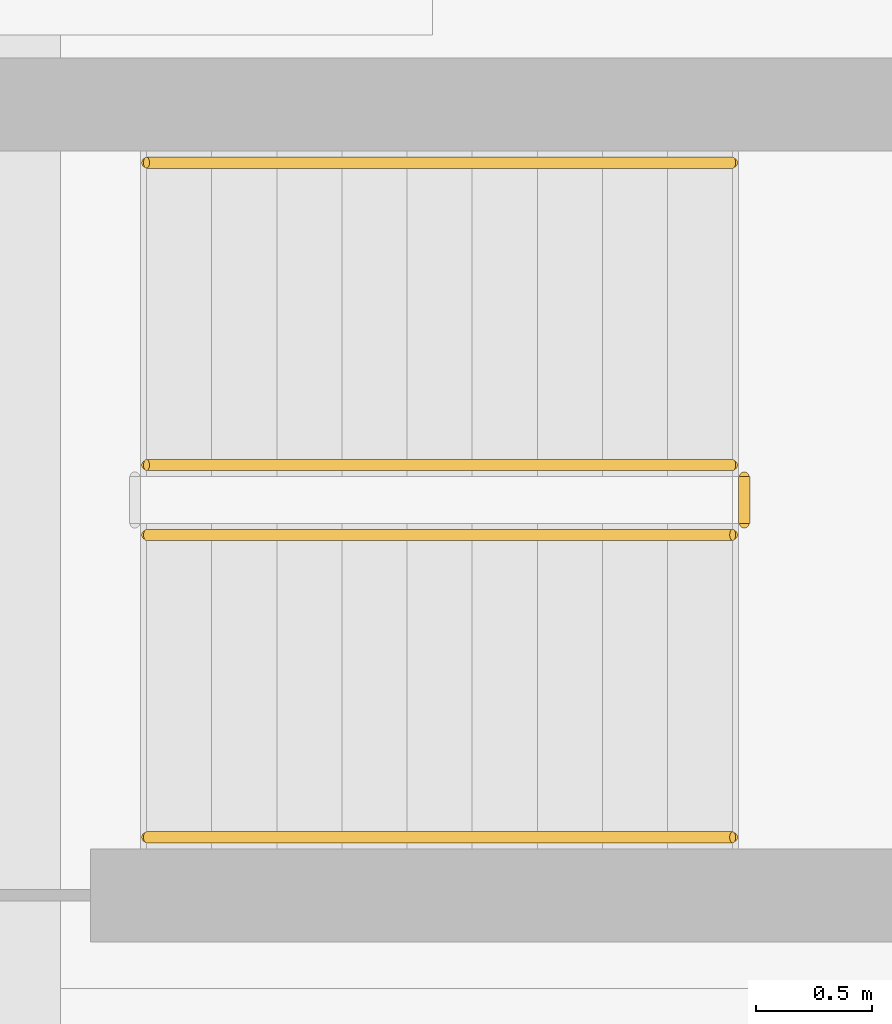
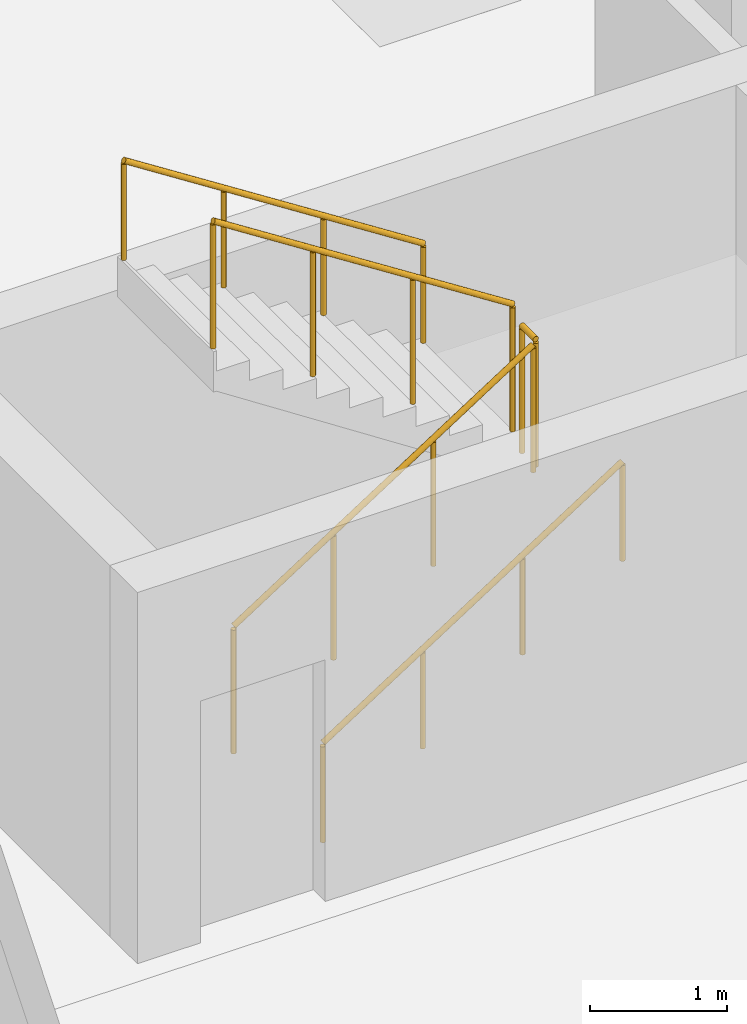
# One storey, part 11 of 13: 5 railings.
"""IFC4 building model written with IfcOpenShell, lengths in metres."""

import ifcopenshell
import ifcopenshell.guid

model = None  # the IFC model being written
_history = None  # IfcOwnerHistory: only IFC2X3 demands one
_inside = {}  # id of a spatial element -> (the spatial element, [elements in it])
_under = {}  # id of a project, library or spatial element -> (it, [spatial elements below it])
_declared = {}  # id of a project -> (the project, [libraries it declares])
_typed = {}  # id of a type object -> (the type object, [elements of that type])
_made_of = {}  # id of a material, layer set ... -> (it, [elements and type objects made of it])


def new_model(schema):
    """Start an empty IFC model of exactly this schema.

    Asked for "IFC4X3", IfcOpenShell would pick the latest addendum, in which some entities
    have other attributes; the version numbers below select the first issue.
    IFC2X3 requires an IfcOwnerHistory on every rooted entity: one is made here for all.
    """
    global model, _history
    if schema == "IFC4X3":
        model = ifcopenshell.file(schema_version=(4, 3, 0, 0))
    else:
        model = ifcopenshell.file(schema=schema)
    _inside.clear()
    _under.clear()
    _declared.clear()
    _typed.clear()
    _made_of.clear()
    _history = None
    if model.schema == "IFC2X3":
        org = make("IfcOrganization", Name="unknown")
        user = make(
            "IfcPersonAndOrganization",
            ThePerson=make("IfcPerson", FamilyName="unknown"),
            TheOrganization=org,
        )
        app = make(
            "IfcApplication",
            ApplicationDeveloper=org,
            Version="unknown",
            ApplicationFullName="unknown",
            ApplicationIdentifier="unknown",
        )
        _history = make(
            "IfcOwnerHistory",
            OwningUser=user,
            OwningApplication=app,
            ChangeAction="ADDED",
            CreationDate=0,
        )
    return model


def make(cls, **values):
    """One entity of the class cls with the attributes given. An attribute that is None is left unset."""
    return model.create_entity(
        cls, **{name: value for name, value in values.items() if value is not None}
    )


def rooted(cls, **values):
    """An entity with a GlobalId (a new one), such as an element, a storey or a relation."""
    return make(cls, GlobalId=ifcopenshell.guid.new(), OwnerHistory=_history, **values)


def si_unit(unit_type, name, prefix=None):
    """IfcSIUnit, for example si_unit("LENGTHUNIT", "METRE", prefix="MILLI")."""
    return make("IfcSIUnit", UnitType=unit_type, Prefix=prefix, Name=name)


def assignment(units):
    """IfcUnitAssignment: the units of a project."""
    return None if units is None else make("IfcUnitAssignment", Units=units)


def point(xyz):
    """IfcCartesianPoint."""
    return None if xyz is None else make("IfcCartesianPoint", Coordinates=xyz)


def direction(xyz):
    """IfcDirection."""
    return None if xyz is None else make("IfcDirection", DirectionRatios=xyz)


def frame(location, z_axis=None, x_axis=None):
    """IfcAxis2Placement3D, a coordinate frame: its origin and axes. An axis left out is left unset."""
    return make(
        "IfcAxis2Placement3D",
        Location=point(location),
        Axis=direction(z_axis),
        RefDirection=direction(x_axis),
    )


def frame_2d(location, x_axis=None):
    """IfcAxis2Placement2D, a coordinate frame in the plane: its origin and x axis."""
    return make(
        "IfcAxis2Placement2D", Location=point(location), RefDirection=direction(x_axis)
    )


def origin():
    """The frame at (0, 0, 0) with its axes left unset."""
    return frame((0.0, 0.0, 0.0))


def origin_2d():
    """The frame at (0, 0) in the plane with its x axis left unset."""
    return frame_2d((0.0, 0.0))


def place(relative_to, where):
    """IfcLocalPlacement: puts the frame where relative to a parent placement (None: the world)."""
    return make(
        "IfcLocalPlacement", PlacementRelTo=relative_to, RelativePlacement=where
    )


def context(
    kind, dimensions, precision=None, world=None, true_north=None, identifier=None
):
    """IfcGeometricRepresentationContext, for example the 3D "Model" context."""
    return make(
        "IfcGeometricRepresentationContext",
        ContextIdentifier=identifier,
        ContextType=kind,
        CoordinateSpaceDimension=dimensions,
        Precision=precision,
        WorldCoordinateSystem=world,
        TrueNorth=true_north,
    )


def subcontext(parent, identifier, kind, view, scale=None):
    """IfcGeometricRepresentationSubContext, for example "Body" below "Model"."""
    return make(
        "IfcGeometricRepresentationSubContext",
        ContextIdentifier=identifier,
        ContextType=kind,
        ParentContext=parent,
        TargetScale=scale,
        TargetView=view,
    )


def project(units=None, contexts=None):
    """IfcProject with its units and contexts."""
    return rooted(
        "IfcProject",
        Name="project",
        RepresentationContexts=contexts,
        UnitsInContext=assignment(units),
    )


def spatial(cls, under=None, at=None, **own):
    """A site, building, storey or space (cls), placed at a placement, below another one or the project."""
    s = rooted(cls, ObjectPlacement=at, **own)
    if under is not None:
        _under.setdefault(under.id(), (under, []))[1].append(s)
    return s


def profile(cls, at=None, kind="AREA", **sizes):
    """A parametric profile (cls). Its sizes go by their IFC names, for example OverallWidth=200.0."""
    return make(cls, ProfileType=kind, Position=at, **sizes)


def circle(**sizes):
    """IfcCircleProfileDef."""
    return profile("IfcCircleProfileDef", **sizes)


def extrude(swept, where, along, depth):
    """IfcExtrudedAreaSolid: the profile swept, set in the frame where, extruded along a direction by depth."""
    return make(
        "IfcExtrudedAreaSolid",
        SweptArea=swept,
        Position=where,
        ExtrudedDirection=direction(along),
        Depth=depth,
    )


def shape(context_of_items, identifier, shape_type, items):
    """IfcShapeRepresentation: the items that make up one representation, for example the "Body"."""
    return make(
        "IfcShapeRepresentation",
        ContextOfItems=context_of_items,
        RepresentationIdentifier=identifier,
        RepresentationType=shape_type,
        Items=items,
    )


def material(Name=None, Category=None):
    """IfcMaterial."""
    return make("IfcMaterial", Name=Name, Category=Category)


def made_of(thing, what):
    """Note that an element or type object is made of a material, layer set ...; save() writes the relation."""
    if what is not None:
        _made_of.setdefault(what.id(), (what, []))[1].append(thing)
    return thing


def type_object(cls, material=None, **own):
    """A type object (cls), such as IfcWallType, which elements share."""
    return made_of(rooted(cls, **own), material)


def element(
    cls,
    number,
    at=None,
    inside=None,
    cuts=None,
    type_object=None,
    material=None,
    context=None,
    identifier="Body",
    shape_type=None,
    held_by="IfcProductDefinitionShape",
    body=None,
    shapes=None,
    **own,
):
    """One element of the class cls, such as IfcWall. Its Tag is "e" and its number.

    at: its placement. inside: the storey or other place that contains it. cuts: it is an
    opening in that element (IfcRelVoidsElement). A single representation is given by context,
    identifier, shape_type and body (its items); several are given by shapes. held_by: the class
    of the entity that holds the representations. save() writes the other relations.
    """
    e = rooted(cls, Tag="e%d" % number, ObjectPlacement=at, **own)
    if body is not None:
        shapes = [shape(context, identifier, shape_type, body)]
    if shapes is not None:
        e.Representation = make(held_by, Representations=shapes)
    if inside is not None:
        _inside.setdefault(inside.id(), (inside, []))[1].append(e)
    if cuts is not None:
        rooted(
            "IfcRelVoidsElement", RelatingBuildingElement=cuts, RelatedOpeningElement=e
        )
    if type_object is not None:
        _typed.setdefault(type_object.id(), (type_object, []))[1].append(e)
    return made_of(e, material)


def aggregate(whole, parts):
    """IfcRelAggregates: a whole, such as a stair, and the parts it consists of."""
    return rooted("IfcRelAggregates", RelatingObject=whole, RelatedObjects=parts)


def save(model, path):
    """Write the relations noted so far, then the file.

    IfcRelAggregates (storeys below a building ...), IfcRelContainedInSpatialStructure (elements
    in a storey), IfcRelDefinesByType, IfcRelAssociatesMaterial and IfcRelDeclares: one each for
    every whole, place, type object, material and project.
    """
    for whole, parts in _under.values():
        aggregate(whole, parts)
    for where, things in _inside.values():
        rooted(
            "IfcRelContainedInSpatialStructure",
            RelatedElements=things,
            RelatingStructure=where,
        )
    for kind, things in _typed.values():
        rooted("IfcRelDefinesByType", RelatedObjects=things, RelatingType=kind)
    for what, things in _made_of.values():
        rooted("IfcRelAssociatesMaterial", RelatedObjects=things, RelatingMaterial=what)
    for by, libraries in _declared.values():
        rooted("IfcRelDeclares", RelatingContext=by, RelatedDefinitions=libraries)
    model.write(path)


model = new_model("IFC4")

# Units and contexts
model_context = context("Model", 3, precision=1e-05, world=origin(), true_north=direction((0.0, 1.0)))
body_context = subcontext(model_context, "Body", "Model", "MODEL_VIEW")
ifc_project = project(units=[si_unit("LENGTHUNIT", "METRE"), si_unit("AREAUNIT", "SQUARE_METRE"), si_unit("VOLUMEUNIT", "CUBIC_METRE"), si_unit("PLANEANGLEUNIT", "RADIAN"), si_unit("MASSUNIT", "GRAM", prefix="KILO")], contexts=[model_context])

# Site, building, storey
site_placement = place(None, origin())
site = spatial("IfcSite", under=ifc_project, at=site_placement, CompositionType="ELEMENT")
building_placement = place(site_placement, origin())
building = spatial("IfcBuilding", under=site, at=building_placement, Name="Barlavira Tower and Art Museum", CompositionType="ELEMENT")
storey_placement = place(building_placement, frame((0.0, 0.0, -7.199951171875)))
storey = spatial("IfcBuildingStorey", under=building, at=storey_placement, Name="B02", CompositionType="ELEMENT", Elevation=-7.199951171875)

# Railings
ifc_material = material(Name="Brushed stainless steel", Category="steel")
railing_type_1 = type_object("IfcRailingType", Name="Interior Void and Landing Guard Railing 1150", PredefinedType="GUARDRAIL", material=ifc_material)
railing_1_placement = place(storey_placement, frame((32.070068359375, 17.949951171875, 0.179931640625)))
element("IfcRailing", 1, at=railing_1_placement, inside=storey, type_object=railing_type_1, Name="B02 ST-M2 stair guard 1", PredefinedType="GUARDRAIL", context=body_context, shape_type="SweptSolid", body=[
    extrude(circle(Radius=0.02392578125, at=origin_2d()), frame((0.0, 0.0, 1.1259765625), z_axis=(0.841162588446, 0.0, 0.540782303519), x_axis=(0.0, 1.0, 0.0)), (0.0, 0.0, 1.0), 2.995849609375),
    extrude(circle(Radius=0.02099609375, at=origin_2d()), origin(), (0.0, 0.0, 1.0), 1.101806640625),
    extrude(circle(Radius=0.02099609375, at=origin_2d()), frame((0.840087890625, 0.0, 0.5400390625)), (0.0, 0.0, 1.0), 1.101806640625),
    extrude(circle(Radius=0.02099609375, at=origin_2d()), frame((1.679931640625, 0.0, 1.080078125)), (0.0, 0.0, 1.0), 1.101806640625),
    extrude(circle(Radius=0.02099609375, at=origin_2d()), frame((2.52001953125, 0.0, 1.6201171875)), (0.0, 0.0, 1.0), 1.101806640625),
])
railing_2_placement = place(storey_placement, frame((34.639892578125, 18.0, 1.800048828125)))
element("IfcRailing", 2, at=railing_2_placement, inside=storey, type_object=railing_type_1, Name="B02 ST-M2 stair guard 2", PredefinedType="GUARDRAIL", context=body_context, shape_type="SweptSolid", body=[
    extrude(circle(Radius=0.02392578125, at=origin_2d()), frame((0.0, 0.0, 1.1259765625), z_axis=(0.0, 1.0, 0.0), x_axis=(-1.0, 0.0, 0.0)), (0.0, 0.0, 1.0), 0.199951171875),
    extrude(circle(Radius=0.02099609375, at=origin_2d()), origin(), (0.0, 0.0, 1.0), 1.101806640625),
    extrude(circle(Radius=0.02099609375, at=origin_2d()), frame((0.0, 0.199951171875, 0.0)), (0.0, 0.0, 1.0), 1.101806640625),
])
railing_3_placement = place(storey_placement, frame((34.590087890625, 18.25, 1.97998046875)))
element("IfcRailing", 3, at=railing_3_placement, inside=storey, type_object=railing_type_1, Name="B02 ST-M2 stair guard 3", PredefinedType="GUARDRAIL", context=body_context, shape_type="SweptSolid", body=[
    extrude(circle(Radius=0.02392578125, at=origin_2d()), frame((0.0, 0.0, 1.1259765625), z_axis=(-0.841199657755, 0.0, 0.540724639528), x_axis=(0.0, -1.0, 0.0)), (0.0, 0.0, 1.0), 2.995849609375),
    extrude(circle(Radius=0.02099609375, at=origin_2d()), origin(), (0.0, 0.0, 1.0), 1.101806640625),
    extrude(circle(Radius=0.02099609375, at=origin_2d()), frame((-0.840087890625, 0.0, 0.5400390625)), (0.0, 0.0, 1.0), 1.101806640625),
    extrude(circle(Radius=0.02099609375, at=origin_2d()), frame((-1.679931640625, 0.0, 1.079833984375)), (0.0, 0.0, 1.0), 1.101806640625),
    extrude(circle(Radius=0.02099609375, at=origin_2d()), frame((-2.52001953125, 0.0, 1.619873046875)), (0.0, 0.0, 1.0), 1.101806640625),
])
railing_type_2 = type_object("IfcRailingType", Name="Stair Pitch Tubular Steel Handrail 920", PredefinedType="HANDRAIL", material=ifc_material)
railing_4_placement = place(storey_placement, frame((32.070068359375, 16.64990234375, 0.179931640625)))
element("IfcRailing", 4, at=railing_4_placement, inside=storey, type_object=railing_type_2, Name="B02 ST-M2 stair handrail 1", PredefinedType="HANDRAIL", context=body_context, shape_type="SweptSolid", body=[
    extrude(circle(Radius=0.02392578125, at=origin_2d()), frame((0.0, 0.0, 0.8759765625), z_axis=(0.841162588446, 0.0, 0.540782303519), x_axis=(0.0, 1.0, 0.0)), (0.0, 0.0, 1.0), 2.995849609375),
    extrude(circle(Radius=0.02099609375, at=origin_2d()), origin(), (0.0, 0.0, 1.0), 0.851806640625),
    extrude(circle(Radius=0.02099609375, at=origin_2d()), frame((0.840087890625, 0.0, 0.5400390625)), (0.0, 0.0, 1.0), 0.851806640625),
    extrude(circle(Radius=0.02099609375, at=origin_2d()), frame((1.679931640625, 0.0, 1.080078125)), (0.0, 0.0, 1.0), 0.851806640625),
    extrude(circle(Radius=0.02099609375, at=origin_2d()), frame((2.52001953125, 0.0, 1.6201171875)), (0.0, 0.0, 1.0), 0.851806640625),
])
railing_5_placement = place(storey_placement, frame((34.590087890625, 19.550048828125, 1.97998046875)))
element("IfcRailing", 5, at=railing_5_placement, inside=storey, type_object=railing_type_2, Name="B02 ST-M2 stair handrail 2", PredefinedType="HANDRAIL", context=body_context, shape_type="SweptSolid", body=[
    extrude(circle(Radius=0.02392578125, at=origin_2d()), frame((0.0, 0.0, 0.8759765625), z_axis=(-0.841199657755, 0.0, 0.540724639528), x_axis=(0.0, -1.0, 0.0)), (0.0, 0.0, 1.0), 2.995849609375),
    extrude(circle(Radius=0.02099609375, at=origin_2d()), origin(), (0.0, 0.0, 1.0), 0.851806640625),
    extrude(circle(Radius=0.02099609375, at=origin_2d()), frame((-0.840087890625, 0.0, 0.5400390625)), (0.0, 0.0, 1.0), 0.851806640625),
    extrude(circle(Radius=0.02099609375, at=origin_2d()), frame((-1.679931640625, 0.0, 1.079833984375)), (0.0, 0.0, 1.0), 0.851806640625),
    extrude(circle(Radius=0.02099609375, at=origin_2d()), frame((-2.52001953125, 0.0, 1.619873046875)), (0.0, 0.0, 1.0), 0.851806640625),
])

save(model, "model.ifc")
